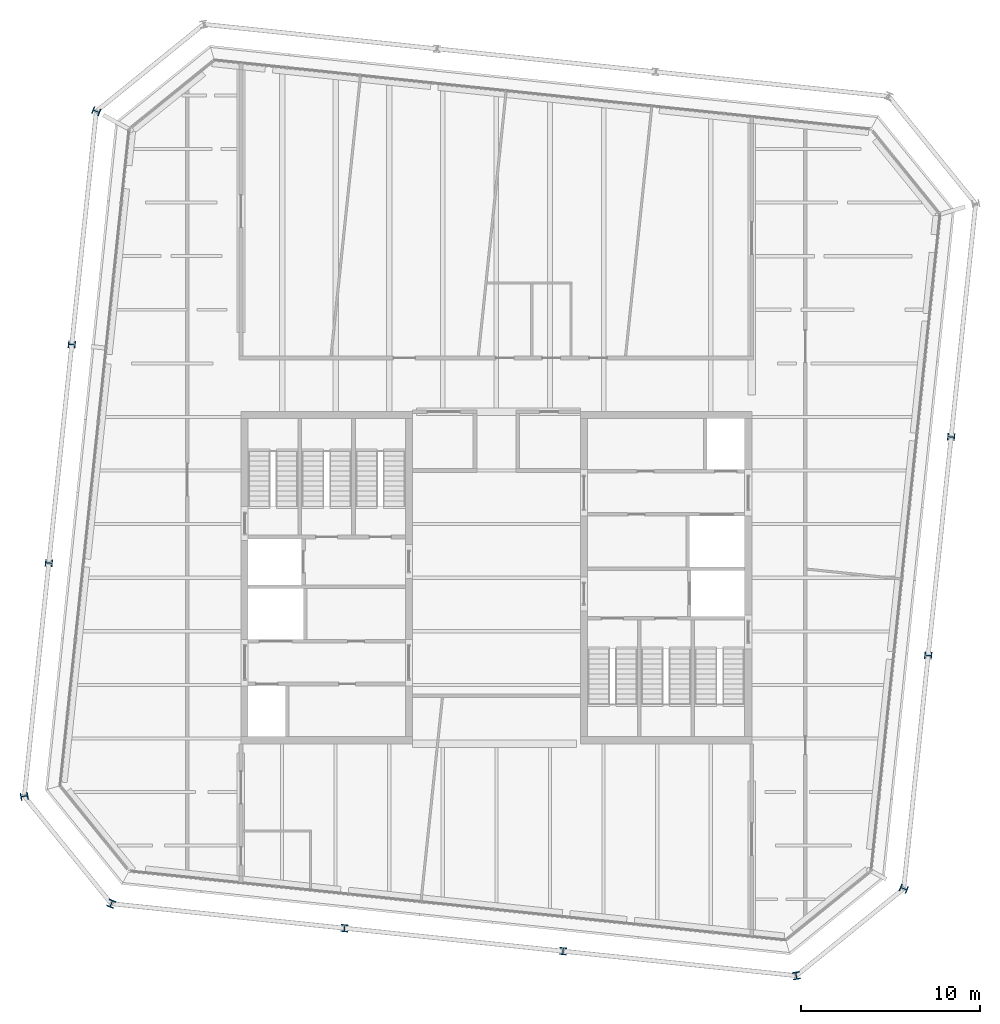
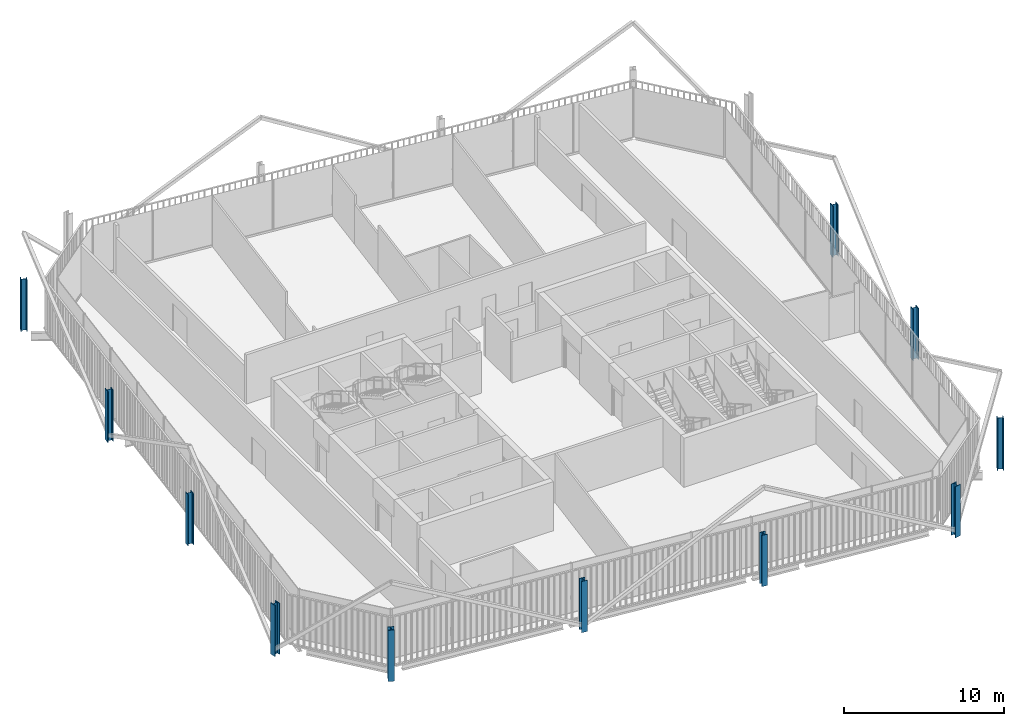
# One storey, part 1 of 21: 11 columns.
"""IFC4 building model written with IfcOpenShell, lengths in metres."""

import ifcopenshell
import ifcopenshell.guid

model = None  # the IFC model being written
_history = None  # IfcOwnerHistory: only IFC2X3 demands one
_inside = {}  # id of a spatial element -> (the spatial element, [elements in it])
_under = {}  # id of a project, library or spatial element -> (it, [spatial elements below it])
_declared = {}  # id of a project -> (the project, [libraries it declares])
_typed = {}  # id of a type object -> (the type object, [elements of that type])
_made_of = {}  # id of a material, layer set ... -> (it, [elements and type objects made of it])


def new_model(schema):
    """Start an empty IFC model of exactly this schema.

    Asked for "IFC4X3", IfcOpenShell would pick the latest addendum, in which some entities
    have other attributes; the version numbers below select the first issue.
    IFC2X3 requires an IfcOwnerHistory on every rooted entity: one is made here for all.
    """
    global model, _history
    if schema == "IFC4X3":
        model = ifcopenshell.file(schema_version=(4, 3, 0, 0))
    else:
        model = ifcopenshell.file(schema=schema)
    _inside.clear()
    _under.clear()
    _declared.clear()
    _typed.clear()
    _made_of.clear()
    _history = None
    if model.schema == "IFC2X3":
        org = make("IfcOrganization", Name="unknown")
        user = make(
            "IfcPersonAndOrganization",
            ThePerson=make("IfcPerson", FamilyName="unknown"),
            TheOrganization=org,
        )
        app = make(
            "IfcApplication",
            ApplicationDeveloper=org,
            Version="unknown",
            ApplicationFullName="unknown",
            ApplicationIdentifier="unknown",
        )
        _history = make(
            "IfcOwnerHistory",
            OwningUser=user,
            OwningApplication=app,
            ChangeAction="ADDED",
            CreationDate=0,
        )
    return model


def make(cls, **values):
    """One entity of the class cls with the attributes given. An attribute that is None is left unset."""
    return model.create_entity(
        cls, **{name: value for name, value in values.items() if value is not None}
    )


def rooted(cls, **values):
    """An entity with a GlobalId (a new one), such as an element, a storey or a relation."""
    return make(cls, GlobalId=ifcopenshell.guid.new(), OwnerHistory=_history, **values)


def si_unit(unit_type, name, prefix=None):
    """IfcSIUnit, for example si_unit("LENGTHUNIT", "METRE", prefix="MILLI")."""
    return make("IfcSIUnit", UnitType=unit_type, Prefix=prefix, Name=name)


def assignment(units):
    """IfcUnitAssignment: the units of a project."""
    return None if units is None else make("IfcUnitAssignment", Units=units)


def point(xyz):
    """IfcCartesianPoint."""
    return None if xyz is None else make("IfcCartesianPoint", Coordinates=xyz)


def direction(xyz):
    """IfcDirection."""
    return None if xyz is None else make("IfcDirection", DirectionRatios=xyz)


def frame(location, z_axis=None, x_axis=None):
    """IfcAxis2Placement3D, a coordinate frame: its origin and axes. An axis left out is left unset."""
    return make(
        "IfcAxis2Placement3D",
        Location=point(location),
        Axis=direction(z_axis),
        RefDirection=direction(x_axis),
    )


def frame_2d(location, x_axis=None):
    """IfcAxis2Placement2D, a coordinate frame in the plane: its origin and x axis."""
    return make(
        "IfcAxis2Placement2D", Location=point(location), RefDirection=direction(x_axis)
    )


def origin():
    """The frame at (0, 0, 0) with its axes left unset."""
    return frame((0.0, 0.0, 0.0))


def origin_2d():
    """The frame at (0, 0) in the plane with its x axis left unset."""
    return frame_2d((0.0, 0.0))


def place(relative_to, where):
    """IfcLocalPlacement: puts the frame where relative to a parent placement (None: the world)."""
    return make(
        "IfcLocalPlacement", PlacementRelTo=relative_to, RelativePlacement=where
    )


def context(
    kind, dimensions, precision=None, world=None, true_north=None, identifier=None
):
    """IfcGeometricRepresentationContext, for example the 3D "Model" context."""
    return make(
        "IfcGeometricRepresentationContext",
        ContextIdentifier=identifier,
        ContextType=kind,
        CoordinateSpaceDimension=dimensions,
        Precision=precision,
        WorldCoordinateSystem=world,
        TrueNorth=true_north,
    )


def subcontext(parent, identifier, kind, view, scale=None):
    """IfcGeometricRepresentationSubContext, for example "Body" below "Model"."""
    return make(
        "IfcGeometricRepresentationSubContext",
        ContextIdentifier=identifier,
        ContextType=kind,
        ParentContext=parent,
        TargetScale=scale,
        TargetView=view,
    )


def project(units=None, contexts=None):
    """IfcProject with its units and contexts."""
    return rooted(
        "IfcProject",
        Name="project",
        RepresentationContexts=contexts,
        UnitsInContext=assignment(units),
    )


def spatial(cls, under=None, at=None, **own):
    """A site, building, storey or space (cls), placed at a placement, below another one or the project."""
    s = rooted(cls, ObjectPlacement=at, **own)
    if under is not None:
        _under.setdefault(under.id(), (under, []))[1].append(s)
    return s


def profile(cls, at=None, kind="AREA", **sizes):
    """A parametric profile (cls). Its sizes go by their IFC names, for example OverallWidth=200.0."""
    return make(cls, ProfileType=kind, Position=at, **sizes)


def i_section(**sizes):
    """IfcIShapeProfileDef."""
    return profile("IfcIShapeProfileDef", **sizes)


def extrude(swept, where, along, depth):
    """IfcExtrudedAreaSolid: the profile swept, set in the frame where, extruded along a direction by depth."""
    return make(
        "IfcExtrudedAreaSolid",
        SweptArea=swept,
        Position=where,
        ExtrudedDirection=direction(along),
        Depth=depth,
    )


def shape(context_of_items, identifier, shape_type, items):
    """IfcShapeRepresentation: the items that make up one representation, for example the "Body"."""
    return make(
        "IfcShapeRepresentation",
        ContextOfItems=context_of_items,
        RepresentationIdentifier=identifier,
        RepresentationType=shape_type,
        Items=items,
    )


def material(Name=None, Category=None):
    """IfcMaterial."""
    return make("IfcMaterial", Name=Name, Category=Category)


def material_profile(
    of_material, cross_section, Name=None, Category=None, Priority=None
):
    """IfcMaterialProfile: a cross section and its material."""
    return make(
        "IfcMaterialProfile",
        Name=Name,
        Material=of_material,
        Profile=cross_section,
        Priority=Priority,
        Category=Category,
    )


def profile_set(profiles, Name=None, composite=None):
    """IfcMaterialProfileSet."""
    return make(
        "IfcMaterialProfileSet",
        Name=Name,
        MaterialProfiles=profiles,
        CompositeProfile=composite,
    )


def made_of(thing, what):
    """Note that an element or type object is made of a material, layer set ...; save() writes the relation."""
    if what is not None:
        _made_of.setdefault(what.id(), (what, []))[1].append(thing)
    return thing


def type_object(cls, material=None, **own):
    """A type object (cls), such as IfcWallType, which elements share."""
    return made_of(rooted(cls, **own), material)


def element(
    cls,
    number,
    at=None,
    inside=None,
    cuts=None,
    type_object=None,
    material=None,
    context=None,
    identifier="Body",
    shape_type=None,
    held_by="IfcProductDefinitionShape",
    body=None,
    shapes=None,
    **own,
):
    """One element of the class cls, such as IfcWall. Its Tag is "e" and its number.

    at: its placement. inside: the storey or other place that contains it. cuts: it is an
    opening in that element (IfcRelVoidsElement). A single representation is given by context,
    identifier, shape_type and body (its items); several are given by shapes. held_by: the class
    of the entity that holds the representations. save() writes the other relations.
    """
    e = rooted(cls, Tag="e%d" % number, ObjectPlacement=at, **own)
    if body is not None:
        shapes = [shape(context, identifier, shape_type, body)]
    if shapes is not None:
        e.Representation = make(held_by, Representations=shapes)
    if inside is not None:
        _inside.setdefault(inside.id(), (inside, []))[1].append(e)
    if cuts is not None:
        rooted(
            "IfcRelVoidsElement", RelatingBuildingElement=cuts, RelatedOpeningElement=e
        )
    if type_object is not None:
        _typed.setdefault(type_object.id(), (type_object, []))[1].append(e)
    return made_of(e, material)


def aggregate(whole, parts):
    """IfcRelAggregates: a whole, such as a stair, and the parts it consists of."""
    return rooted("IfcRelAggregates", RelatingObject=whole, RelatedObjects=parts)


def save(model, path):
    """Write the relations noted so far, then the file.

    IfcRelAggregates (storeys below a building ...), IfcRelContainedInSpatialStructure (elements
    in a storey), IfcRelDefinesByType, IfcRelAssociatesMaterial and IfcRelDeclares: one each for
    every whole, place, type object, material and project.
    """
    for whole, parts in _under.values():
        aggregate(whole, parts)
    for where, things in _inside.values():
        rooted(
            "IfcRelContainedInSpatialStructure",
            RelatedElements=things,
            RelatingStructure=where,
        )
    for kind, things in _typed.values():
        rooted("IfcRelDefinesByType", RelatedObjects=things, RelatingType=kind)
    for what, things in _made_of.values():
        rooted("IfcRelAssociatesMaterial", RelatedObjects=things, RelatingMaterial=what)
    for by, libraries in _declared.values():
        rooted("IfcRelDeclares", RelatingContext=by, RelatedDefinitions=libraries)
    model.write(path)


model = new_model("IFC4")

# Units and contexts
model_context = context("Model", 3, precision=1e-05, world=origin(), true_north=direction((0.0, 1.0)))
body_context = subcontext(model_context, "Body", "Model", "MODEL_VIEW")
ifc_project = project(units=[si_unit("LENGTHUNIT", "METRE"), si_unit("AREAUNIT", "SQUARE_METRE"), si_unit("VOLUMEUNIT", "CUBIC_METRE"), si_unit("PLANEANGLEUNIT", "RADIAN"), si_unit("MASSUNIT", "GRAM", prefix="KILO")], contexts=[model_context])

# Site, building, storey
site_placement = place(None, origin())
site = spatial("IfcSite", under=ifc_project, at=site_placement, CompositionType="ELEMENT")
building_placement = place(site_placement, origin())
building = spatial("IfcBuilding", under=site, at=building_placement, Name="Millrace Tower", CompositionType="ELEMENT")
storey_placement = place(building_placement, frame((0.0, 0.0, 276.0)))
storey = spatial("IfcBuildingStorey", under=building, at=storey_placement, Name="L63", CompositionType="ELEMENT", Elevation=276.0)

# Columns
ifc_material_1 = material(Name="Steel ASTM A913 Grade 65", Category="steel")
ifc_material_profile_1 = material_profile(ifc_material_1, i_section(OverallWidth=0.4013671875, OverallDepth=0.398681640625, WebThickness=0.02490234375, FlangeThickness=0.03955078125, FilletRadius=0.01513671875, at=origin_2d()))
ifc_profile_set_1 = profile_set([ifc_material_profile_1], Name="Steel ASTM A913 Grade 65")
column_type_1 = type_object("IfcColumnType", Name="Exoskeleton column W14x211", PredefinedType="COLUMN", material=ifc_profile_set_1)
for number, where, z_axis, x_axis, name in (
    (1, (-8.50341796875, -19.62158203125, 0.0), (0.0, 0.0, 1.0), (0.994521897246, -0.104528445407, 0.0), "COL-E-L63-X03"),
    (2, (3.729248046875, -20.9072265625, 0.0), (0.0, 0.0, 1.0), (0.994521897246, -0.104528445407, 0.0), "COL-E-L63-X04"),
    (3, (24.171630859375, -4.353271484375, 0.0), (0.0, 0.0, 1.0), (0.104528445407, 0.994521897246, 0.0), "COL-E-L63-X07"),
    (4, (25.457275390625, 7.879150390625, 0.0), (0.0, 0.0, 1.0), (0.104528445407, 0.994521897246, 0.0), "COL-E-L63-X08"),
    (5, (-23.771484375, 13.053466796875, 0.0), (0.0, 0.0, 1.0), (-0.104528445407, -0.994521897246, 0.0), "COL-E-L63-X15"),
    (6, (-25.057373046875, 0.82080078125, 0.0), (0.0, 0.0, 1.0), (-0.104528445407, -0.994521897246, 0.0), "COL-E-L63-X16"),
):
    element("IfcColumn", number, at=place(storey_placement, frame(where, z_axis=z_axis, x_axis=x_axis)), inside=storey, type_object=column_type_1, Name=name, PredefinedType="COLUMN", context=body_context, shape_type="SweptSolid", body=[
        extrude(i_section(OverallWidth=0.4013671875, OverallDepth=0.398681640625, WebThickness=0.02490234375, FlangeThickness=0.03955078125, FilletRadius=0.01513671875, at=origin_2d()), origin(), (0.0, 0.0, 1.0), 3.89990234375),
    ])
ifc_material_2 = material(Name="Steel ASTM A913 Grade 65", Category="steel")
ifc_material_profile_2 = material_profile(ifc_material_2, i_section(OverallWidth=0.406494140625, OverallDepth=0.41650390625, WebThickness=0.030029296875, FlangeThickness=0.048095703125, FilletRadius=0.01513671875, at=origin_2d()))
ifc_profile_set_2 = profile_set([ifc_material_profile_2], Name="Steel ASTM A913 Grade 65")
column_type_2 = type_object("IfcColumnType", Name="Exoskeleton column W14x257", PredefinedType="COLUMN", material=ifc_profile_set_2)
for number, where, z_axis, x_axis, name in (
    (7, (-26.429443359375, -12.23583984375, 0.0), (0.0, 0.0, 1.0), (0.18038747256, -0.983595628164, 0.0), "COL-E-L63-X01"),
    (8, (-21.559814453125, -18.249267578125, 0.0), (0.0, 0.0, 1.0), (0.92459700658, -0.380946683176, 0.0), "COL-E-L63-X02"),
    (9, (16.78564453125, -22.279541015625, 0.0), (0.0, 0.0, 1.0), (0.983595628164, 0.18038747256, 0.0), "COL-E-L63-X05"),
    (10, (22.79931640625, -17.409912109375, 0.0), (0.0, 0.0, 1.0), (0.380946683176, 0.92459700658, 0.0), "COL-E-L63-X06"),
    (11, (-22.399169921875, 26.10986328125, 0.0), (0.0, 0.0, 1.0), (-0.380946683176, -0.92459700658, 0.0), "COL-E-L63-X14"),
):
    element("IfcColumn", number, at=place(storey_placement, frame(where, z_axis=z_axis, x_axis=x_axis)), inside=storey, type_object=column_type_2, Name=name, PredefinedType="COLUMN", context=body_context, shape_type="SweptSolid", body=[
        extrude(i_section(OverallWidth=0.406494140625, OverallDepth=0.41650390625, WebThickness=0.030029296875, FlangeThickness=0.048095703125, FilletRadius=0.01513671875, at=origin_2d()), origin(), (0.0, 0.0, 1.0), 3.89990234375),
    ])

save(model, "model.ifc")
